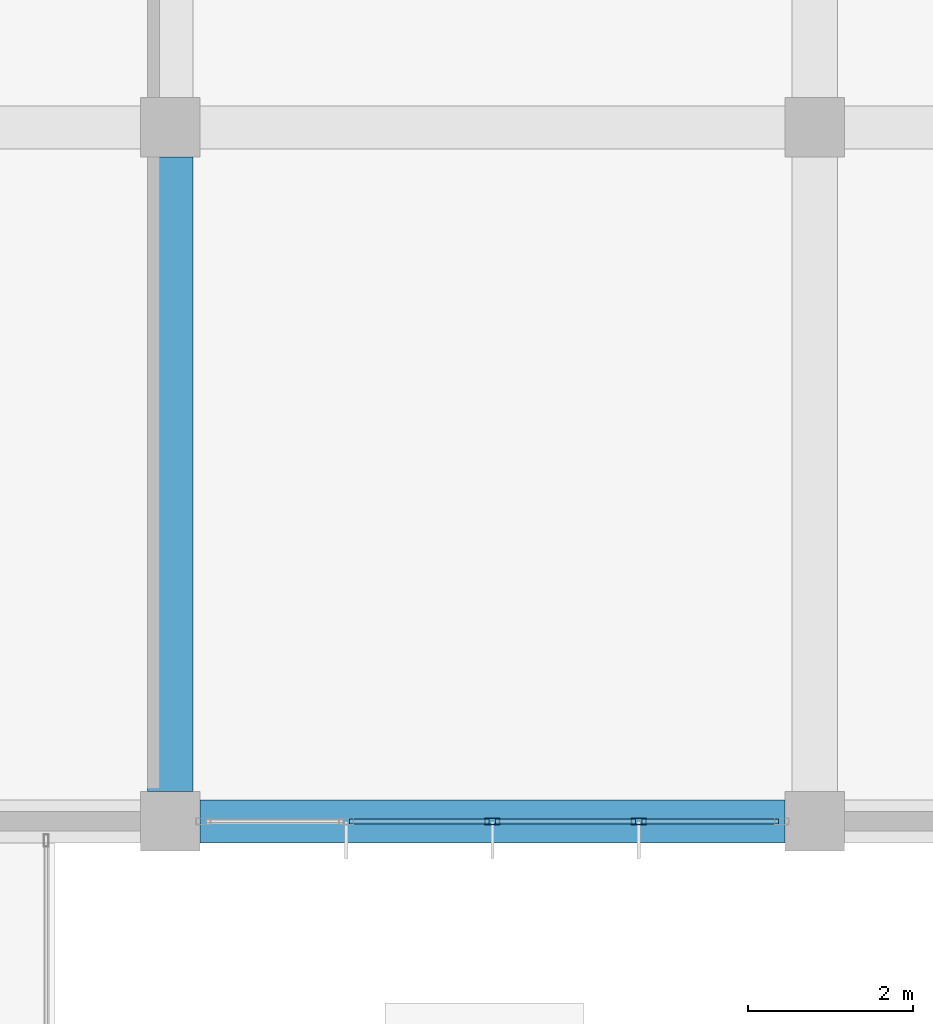
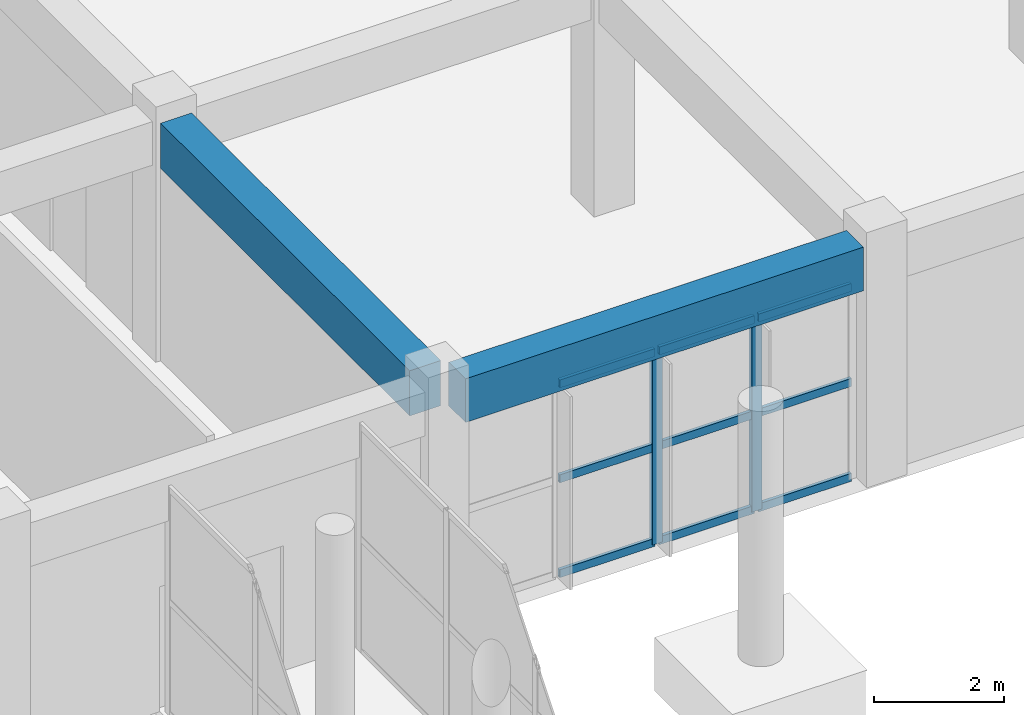
# One storey, part 58 of 139: 11 members, 2 beams, 1 element without a shape of its own.
"""IFC4 building model written with IfcOpenShell, lengths in metres."""

from ifc_helpers import new_model, si_unit, direction, frame, origin, origin_2d, place, context, subcontext, project, spatial, rectangle, hollow_rectangle, extrude, material, layer, layer_set, material_profile, profile_set, type_object, element, aggregate, save


model = new_model("IFC4")

# Units and contexts
model_context = context("Model", 3, precision=1e-05, world=origin(), true_north=direction((0.0, 1.0)))
body_context = subcontext(model_context, "Body", "Model", "MODEL_VIEW")
ifc_project = project(units=[si_unit("LENGTHUNIT", "METRE"), si_unit("AREAUNIT", "SQUARE_METRE"), si_unit("VOLUMEUNIT", "CUBIC_METRE"), si_unit("PLANEANGLEUNIT", "RADIAN"), si_unit("MASSUNIT", "GRAM", prefix="KILO")], contexts=[model_context])

# Site, building, storey
site_placement = place(None, origin())
site = spatial("IfcSite", under=ifc_project, at=site_placement, CompositionType="ELEMENT")
building_placement = place(site_placement, origin())
building = spatial("IfcBuilding", under=site, at=building_placement, Name="Zizhar Promenade General Hospital", CompositionType="ELEMENT")
storey_placement = place(building_placement, origin())
storey = spatial("IfcBuildingStorey", under=building, at=storey_placement, Name="L00", CompositionType="ELEMENT", Elevation=0.0)

# Beams
ifc_material_1 = material(Name="Concrete C35/45", Category="concrete")
ifc_material_profile_1 = material_profile(ifc_material_1, rectangle(XDim=0.52001953125, YDim=0.820068359375, at=origin_2d()))
ifc_profile_set_1 = profile_set([ifc_material_profile_1], Name="Concrete C35/45")
beam_type_1 = type_object("IfcBeamType", Name="BM-RC-520x820", PredefinedType="BEAM", material=ifc_profile_set_1)
beam_1_placement = place(storey_placement, frame((148.56005859375, 42.0, 4.06005859375), z_axis=(1.0, 0.0, 0.0), x_axis=(0.0, 1.0, 0.0)))
element("IfcBeam", 1, at=beam_1_placement, inside=storey, type_object=beam_type_1, Name="Grid Beam X L00 (19-5)", PredefinedType="BEAM", context=body_context, shape_type="SweptSolid", body=[
    extrude(rectangle(XDim=0.52001953125, YDim=0.820068359375, at=origin_2d()), origin(), (0.0, 0.0, 1.0), 7.079833984375),
])
ifc_material_2 = material(Name="Concrete C35/45", Category="concrete")
ifc_material_profile_2 = material_profile(ifc_material_2, rectangle(XDim=0.550048828125, YDim=0.85009765625, at=origin_2d()))
ifc_profile_set_2 = profile_set([ifc_material_profile_2], Name="Concrete C35/45")
beam_type_2 = type_object("IfcBeamType", Name="BM-RC-550x850", PredefinedType="BEAM", material=ifc_profile_set_2)
beam_2_placement = place(storey_placement, frame((148.199951171875, 42.360107421875, 4.044921875), z_axis=(0.0, 1.0, 0.0), x_axis=(-1.0, 0.0, 0.0)))
element("IfcBeam", 2, at=beam_2_placement, inside=storey, type_object=beam_type_2, Name="Grid Beam Y L00 (19-5)", PredefinedType="BEAM", context=body_context, shape_type="SweptSolid", body=[
    extrude(rectangle(XDim=0.550048828125, YDim=0.85009765625, at=origin_2d()), origin(), (0.0, 0.0, 1.0), 7.679931640625),
])

# Curtain wall, members
ifc_material_3 = material(Name="Anodised aluminium 6063-T6 and low-E glass", Category="aluminium")
ifc_layer = layer(ifc_material_3, 0.159912109375)
ifc_layer_set = layer_set([ifc_layer], Name="Anodised aluminium 6063-T6 and low-E glass")
curtain_wall_type = type_object("IfcCurtainWallType", Name="CW-CLN-EXT", PredefinedType="NOTDEFINED", material=ifc_layer_set)
curtain_wall_placement = place(storey_placement, origin())
curtain_wall = element("IfcCurtainWall", 3, at=curtain_wall_placement, inside=storey, type_object=curtain_wall_type, Name="Outpatient Forecourt Curtain Wall L00-19", PredefinedType="NOTDEFINED")
ifc_material_4 = material(Name="Anodised aluminium 6063-T6", Category="aluminium")
ifc_material_profile_3 = material_profile(ifc_material_4, hollow_rectangle(XDim=0.080078125, YDim=0.179931640625, WallThickness=0.0048828125, at=origin_2d()))
ifc_profile_set_3 = profile_set([ifc_material_profile_3], Name="Anodised aluminium 6063-T6")
member_type_1 = type_object("IfcMemberType", Name="CWM-ALU-180x80", PredefinedType="MULLION", material=ifc_profile_set_3)
member_1_placement = place(storey_placement, frame((153.8701171875, 42.0, 0.0), z_axis=(0.0, 0.0, 1.0), x_axis=(0.0, -1.0, 0.0)))
member_1 = element("IfcMember", 4, at=member_1_placement, type_object=member_type_1, Name="CW-09 mullion 2", PredefinedType="MULLION", context=body_context, shape_type="SweptSolid", body=[
    extrude(hollow_rectangle(XDim=0.080078125, YDim=0.179931640625, WallThickness=0.0048828125, at=origin_2d()), origin(), (0.0, 0.0, 1.0), 3.6298828125),
])
member_2_placement = place(storey_placement, frame((152.10009765625, 42.0, 0.0), z_axis=(0.0, 0.0, 1.0), x_axis=(0.0, -1.0, 0.0)))
member_2 = element("IfcMember", 5, at=member_2_placement, type_object=member_type_1, Name="CW-09 mullion 3", PredefinedType="MULLION", context=body_context, shape_type="SweptSolid", body=[
    extrude(hollow_rectangle(XDim=0.080078125, YDim=0.179931640625, WallThickness=0.0048828125, at=origin_2d()), origin(), (0.0, 0.0, 1.0), 3.6298828125),
])
ifc_material_5 = material(Name="Anodised aluminium 6063-T6", Category="aluminium")
ifc_material_profile_4 = material_profile(ifc_material_5, hollow_rectangle(XDim=0.06005859375, YDim=0.14990234375, WallThickness=0.00390625, at=origin_2d()))
ifc_profile_set_4 = profile_set([ifc_material_profile_4], Name="Anodised aluminium 6063-T6")
member_type_2 = type_object("IfcMemberType", Name="CWT-ALU-150x60", PredefinedType="USERDEFINED", material=ifc_profile_set_4)
member_3_placement = place(storey_placement, frame((155.56005859375, 42.0, 0.030029296875), z_axis=(-1.0, 0.0, 0.0), x_axis=(0.0, -1.0, 0.0)))
member_3 = element("IfcMember", 6, at=member_3_placement, type_object=member_type_2, Name="CW-09 transom 1.1", ObjectType="TRANSOM", PredefinedType="USERDEFINED", context=body_context, shape_type="SweptSolid", body=[
    extrude(hollow_rectangle(XDim=0.06005859375, YDim=0.14990234375, WallThickness=0.00390625, at=origin_2d()), origin(), (0.0, 0.0, 1.0), 1.650146484375),
])
member_4_placement = place(storey_placement, frame((155.56005859375, 42.0, 1.81494140625), z_axis=(-1.0, 0.0, 0.0), x_axis=(0.0, -1.0, 0.0)))
member_4 = element("IfcMember", 7, at=member_4_placement, type_object=member_type_2, Name="CW-09 transom 1.2", ObjectType="TRANSOM", PredefinedType="USERDEFINED", context=body_context, shape_type="SweptSolid", body=[
    extrude(hollow_rectangle(XDim=0.06005859375, YDim=0.14990234375, WallThickness=0.00390625, at=origin_2d()), origin(), (0.0, 0.0, 1.0), 1.650146484375),
])
member_5_placement = place(storey_placement, frame((155.56005859375, 42.0, 3.60009765625), z_axis=(-1.0, 0.0, 0.0), x_axis=(0.0, -1.0, 0.0)))
member_5 = element("IfcMember", 8, at=member_5_placement, type_object=member_type_2, Name="CW-09 transom 1.3", ObjectType="TRANSOM", PredefinedType="USERDEFINED", context=body_context, shape_type="SweptSolid", body=[
    extrude(hollow_rectangle(XDim=0.06005859375, YDim=0.14990234375, WallThickness=0.00390625, at=origin_2d()), origin(), (0.0, 0.0, 1.0), 1.650146484375),
])
member_6_placement = place(storey_placement, frame((153.830078125, 42.0, 0.030029296875), z_axis=(-1.0, 0.0, 0.0), x_axis=(0.0, -1.0, 0.0)))
member_6 = element("IfcMember", 9, at=member_6_placement, type_object=member_type_2, Name="CW-09 transom 2.1", ObjectType="TRANSOM", PredefinedType="USERDEFINED", context=body_context, shape_type="SweptSolid", body=[
    extrude(hollow_rectangle(XDim=0.06005859375, YDim=0.14990234375, WallThickness=0.00390625, at=origin_2d()), origin(), (0.0, 0.0, 1.0), 1.690185546875),
])
member_7_placement = place(storey_placement, frame((153.830078125, 42.0, 1.81494140625), z_axis=(-1.0, 0.0, 0.0), x_axis=(0.0, -1.0, 0.0)))
member_7 = element("IfcMember", 10, at=member_7_placement, type_object=member_type_2, Name="CW-09 transom 2.2", ObjectType="TRANSOM", PredefinedType="USERDEFINED", context=body_context, shape_type="SweptSolid", body=[
    extrude(hollow_rectangle(XDim=0.06005859375, YDim=0.14990234375, WallThickness=0.00390625, at=origin_2d()), origin(), (0.0, 0.0, 1.0), 1.690185546875),
])
member_8_placement = place(storey_placement, frame((153.830078125, 42.0, 3.60009765625), z_axis=(-1.0, 0.0, 0.0), x_axis=(0.0, -1.0, 0.0)))
member_8 = element("IfcMember", 11, at=member_8_placement, type_object=member_type_2, Name="CW-09 transom 2.3", ObjectType="TRANSOM", PredefinedType="USERDEFINED", context=body_context, shape_type="SweptSolid", body=[
    extrude(hollow_rectangle(XDim=0.06005859375, YDim=0.14990234375, WallThickness=0.00390625, at=origin_2d()), origin(), (0.0, 0.0, 1.0), 1.690185546875),
])
member_9_placement = place(storey_placement, frame((152.06005859375, 42.0, 0.030029296875), z_axis=(-1.0, 0.0, 0.0), x_axis=(0.0, -1.0, 0.0)))
member_9 = element("IfcMember", 12, at=member_9_placement, type_object=member_type_2, Name="CW-09 transom 3.1", ObjectType="TRANSOM", PredefinedType="USERDEFINED", context=body_context, shape_type="SweptSolid", body=[
    extrude(hollow_rectangle(XDim=0.06005859375, YDim=0.14990234375, WallThickness=0.00390625, at=origin_2d()), origin(), (0.0, 0.0, 1.0), 1.68994140625),
])
member_10_placement = place(storey_placement, frame((152.06005859375, 42.0, 1.81494140625), z_axis=(-1.0, 0.0, 0.0), x_axis=(0.0, -1.0, 0.0)))
member_10 = element("IfcMember", 13, at=member_10_placement, type_object=member_type_2, Name="CW-09 transom 3.2", ObjectType="TRANSOM", PredefinedType="USERDEFINED", context=body_context, shape_type="SweptSolid", body=[
    extrude(hollow_rectangle(XDim=0.06005859375, YDim=0.14990234375, WallThickness=0.00390625, at=origin_2d()), origin(), (0.0, 0.0, 1.0), 1.68994140625),
])
member_11_placement = place(storey_placement, frame((152.06005859375, 42.0, 3.60009765625), z_axis=(-1.0, 0.0, 0.0), x_axis=(0.0, -1.0, 0.0)))
member_11 = element("IfcMember", 14, at=member_11_placement, type_object=member_type_2, Name="CW-09 transom 3.3", ObjectType="TRANSOM", PredefinedType="USERDEFINED", context=body_context, shape_type="SweptSolid", body=[
    extrude(hollow_rectangle(XDim=0.06005859375, YDim=0.14990234375, WallThickness=0.00390625, at=origin_2d()), origin(), (0.0, 0.0, 1.0), 1.68994140625),
])
aggregate(curtain_wall, [member_1, member_2, member_3, member_4, member_5, member_6, member_7, member_8, member_9, member_10, member_11])

save(model, "model.ifc")
